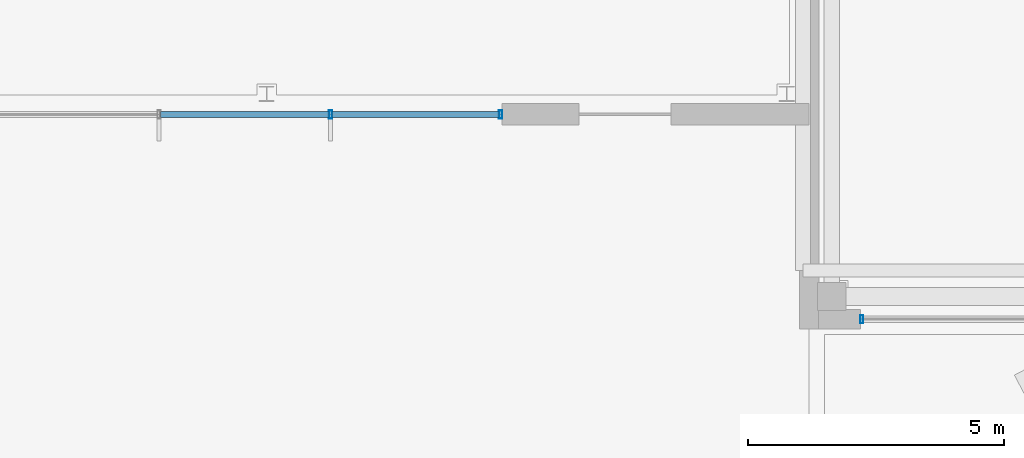
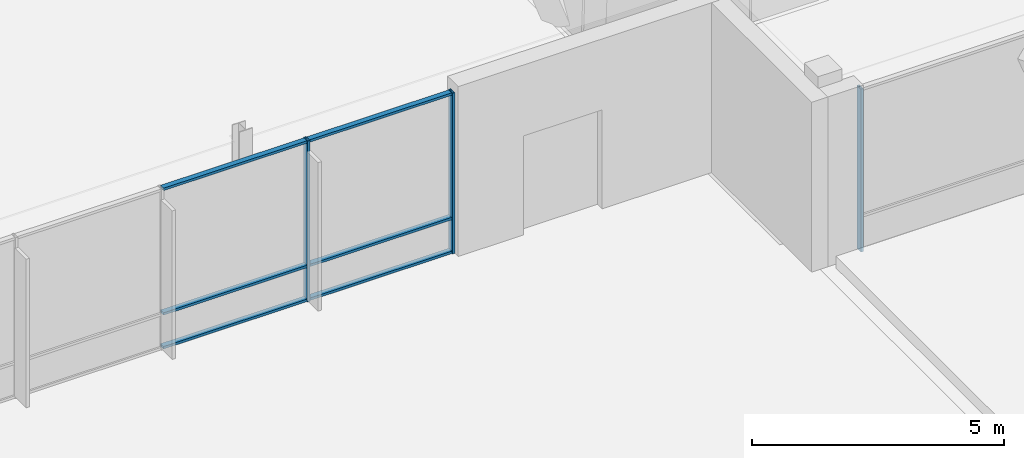
# One storey, part 128 of 233: 9 members, 2 elements without a shape of their own.
"""IFC4 building model written with IfcOpenShell, lengths in metres."""

from ifc_helpers import new_model, si_unit, direction, frame, origin, origin_2d, place, context, subcontext, project, spatial, hollow_rectangle, extrude, material, material_profile, profile_set, type_object, element, aggregate, save


model = new_model("IFC4")

# Units and contexts
model_context = context("Model", 3, precision=1e-05, world=origin(), true_north=direction((0.0, 1.0)))
body_context = subcontext(model_context, "Body", "Model", "MODEL_VIEW")
ifc_project = project(units=[si_unit("LENGTHUNIT", "METRE"), si_unit("AREAUNIT", "SQUARE_METRE"), si_unit("VOLUMEUNIT", "CUBIC_METRE"), si_unit("PLANEANGLEUNIT", "RADIAN"), si_unit("MASSUNIT", "GRAM", prefix="KILO")], contexts=[model_context])

# Site, building, storey
site_placement = place(None, origin())
site = spatial("IfcSite", under=ifc_project, at=site_placement, CompositionType="ELEMENT")
building_placement = place(site_placement, origin())
building = spatial("IfcBuilding", under=site, at=building_placement, Name="Zavelmont Quarter", CompositionType="ELEMENT")
storey_placement = place(building_placement, origin())
storey = spatial("IfcBuildingStorey", under=building, at=storey_placement, Name="L00", CompositionType="ELEMENT", Elevation=0.0)

# Curtain wall, member
ifc_material_1 = material(Name="Thermally broken aluminium and double low-E safety glazing", Category="aluminium")
curtain_wall_type_1 = type_object("IfcCurtainWallType", Name="CW-1185X395", PredefinedType="NOTDEFINED", material=ifc_material_1)
curtain_wall_1_placement = place(storey_placement, origin())
curtain_wall_1 = element("IfcCurtainWall", 1, at=curtain_wall_1_placement, inside=storey, type_object=curtain_wall_type_1, Name="L00 unitised curtain wall CW-1185X395", PredefinedType="NOTDEFINED")
ifc_material_2 = material(Name="Powder-coated aluminium EN AW-6063-T6", Category="aluminium")
ifc_material_profile_1 = material_profile(ifc_material_2, hollow_rectangle(XDim=0.06005859375, YDim=0.159912109375, WallThickness=0.00390625, at=origin_2d()), Name="CWM60X160")
ifc_profile_set_1 = profile_set([ifc_material_profile_1], Name="Powder-coated aluminium EN AW-6063-T6")
member_type_1 = type_object("IfcMemberType", Name="CWM01", PredefinedType="MULLION", material=ifc_profile_set_1)
member_1_placement = place(storey_placement, frame((113.830078125, 97.60009765625, 0.0), z_axis=(0.0, 0.0, 1.0), x_axis=(1.0, 0.0, 0.0)))
member_1 = element("IfcMember", 2, at=member_1_placement, type_object=member_type_1, Name="CW-1185X395 mullion 1", PredefinedType="MULLION", context=body_context, shape_type="SweptSolid", body=[
    extrude(hollow_rectangle(XDim=0.06005859375, YDim=0.159912109375, WallThickness=0.00390625, at=origin_2d()), origin(), (0.0, 0.0, 1.0), 3.949951171875),
])
aggregate(curtain_wall_1, [member_1])

# Curtain wall, members
curtain_wall_type_2 = type_object("IfcCurtainWallType", Name="CW-1340X390", PredefinedType="NOTDEFINED", material=ifc_material_1)
curtain_wall_2_placement = place(storey_placement, origin())
curtain_wall_2 = element("IfcCurtainWall", 3, at=curtain_wall_2_placement, inside=storey, type_object=curtain_wall_type_2, Name="L00 unitised curtain wall CW-1340X390", PredefinedType="NOTDEFINED")
member_2_placement = place(storey_placement, frame((103.449951171875, 101.60009765625, 0.0), z_axis=(0.0, 0.0, 1.0), x_axis=(1.0, 0.0, 0.0)))
member_2 = element("IfcMember", 4, at=member_2_placement, type_object=member_type_1, Name="CW-1340X390 mullion 4", PredefinedType="MULLION", context=body_context, shape_type="SweptSolid", body=[
    extrude(hollow_rectangle(XDim=0.06005859375, YDim=0.159912109375, WallThickness=0.00390625, at=origin_2d()), origin(), (0.0, 0.0, 1.0), 3.89990234375),
])
member_3_placement = place(storey_placement, frame((106.77001953125, 101.60009765625, 0.0), z_axis=(0.0, 0.0, 1.0), x_axis=(1.0, 0.0, 0.0)))
member_3 = element("IfcMember", 5, at=member_3_placement, type_object=member_type_1, Name="CW-1340X390 mullion 5", PredefinedType="MULLION", context=body_context, shape_type="SweptSolid", body=[
    extrude(hollow_rectangle(XDim=0.06005859375, YDim=0.159912109375, WallThickness=0.00390625, at=origin_2d()), origin(), (0.0, 0.0, 1.0), 3.89990234375),
])
ifc_material_profile_2 = material_profile(ifc_material_2, hollow_rectangle(XDim=0.1201171875, YDim=0.06005859375, WallThickness=0.00390625, at=origin_2d()), Name="CWT60X120")
ifc_profile_set_2 = profile_set([ifc_material_profile_2], Name="Powder-coated aluminium EN AW-6063-T6")
member_type_2 = type_object("IfcMemberType", Name="CWT01", PredefinedType="NOTDEFINED", material=ifc_profile_set_2)
member_4_placement = place(storey_placement, frame((100.1298828125, 101.60009765625, 0.030029296875), z_axis=(1.0, 0.0, 0.0), x_axis=(0.0, 1.0, 0.0)))
member_4 = element("IfcMember", 6, at=member_4_placement, type_object=member_type_2, Name="CW-1340X390 transom 3.1", ObjectType="TRANSOM", PredefinedType="USERDEFINED", context=body_context, shape_type="SweptSolid", body=[
    extrude(hollow_rectangle(XDim=0.1201171875, YDim=0.06005859375, WallThickness=0.00390625, at=origin_2d()), origin(), (0.0, 0.0, 1.0), 3.2900390625),
])
member_5_placement = place(storey_placement, frame((100.1298828125, 101.60009765625, 0.85009765625), z_axis=(1.0, 0.0, 0.0), x_axis=(0.0, 1.0, 0.0)))
member_5 = element("IfcMember", 7, at=member_5_placement, type_object=member_type_2, Name="CW-1340X390 transom 3.2", ObjectType="TRANSOM", PredefinedType="USERDEFINED", context=body_context, shape_type="SweptSolid", body=[
    extrude(hollow_rectangle(XDim=0.1201171875, YDim=0.06005859375, WallThickness=0.00390625, at=origin_2d()), origin(), (0.0, 0.0, 1.0), 3.2900390625),
])
member_6_placement = place(storey_placement, frame((100.1298828125, 101.60009765625, 3.8701171875), z_axis=(1.0, 0.0, 0.0), x_axis=(0.0, 1.0, 0.0)))
member_6 = element("IfcMember", 8, at=member_6_placement, type_object=member_type_2, Name="CW-1340X390 transom 3.3", ObjectType="TRANSOM", PredefinedType="USERDEFINED", context=body_context, shape_type="SweptSolid", body=[
    extrude(hollow_rectangle(XDim=0.1201171875, YDim=0.06005859375, WallThickness=0.00390625, at=origin_2d()), origin(), (0.0, 0.0, 1.0), 3.2900390625),
])
member_7_placement = place(storey_placement, frame((103.47998046875, 101.60009765625, 0.030029296875), z_axis=(1.0, 0.0, 0.0), x_axis=(0.0, 1.0, 0.0)))
member_7 = element("IfcMember", 9, at=member_7_placement, type_object=member_type_2, Name="CW-1340X390 transom 4.1", ObjectType="TRANSOM", PredefinedType="USERDEFINED", context=body_context, shape_type="SweptSolid", body=[
    extrude(hollow_rectangle(XDim=0.1201171875, YDim=0.06005859375, WallThickness=0.00390625, at=origin_2d()), origin(), (0.0, 0.0, 1.0), 3.260009765625),
])
member_8_placement = place(storey_placement, frame((103.47998046875, 101.60009765625, 0.85009765625), z_axis=(1.0, 0.0, 0.0), x_axis=(0.0, 1.0, 0.0)))
member_8 = element("IfcMember", 10, at=member_8_placement, type_object=member_type_2, Name="CW-1340X390 transom 4.2", ObjectType="TRANSOM", PredefinedType="USERDEFINED", context=body_context, shape_type="SweptSolid", body=[
    extrude(hollow_rectangle(XDim=0.1201171875, YDim=0.06005859375, WallThickness=0.00390625, at=origin_2d()), origin(), (0.0, 0.0, 1.0), 3.260009765625),
])
member_9_placement = place(storey_placement, frame((103.47998046875, 101.60009765625, 3.8701171875), z_axis=(1.0, 0.0, 0.0), x_axis=(0.0, 1.0, 0.0)))
member_9 = element("IfcMember", 11, at=member_9_placement, type_object=member_type_2, Name="CW-1340X390 transom 4.3", ObjectType="TRANSOM", PredefinedType="USERDEFINED", context=body_context, shape_type="SweptSolid", body=[
    extrude(hollow_rectangle(XDim=0.1201171875, YDim=0.06005859375, WallThickness=0.00390625, at=origin_2d()), origin(), (0.0, 0.0, 1.0), 3.260009765625),
])
aggregate(curtain_wall_2, [member_2, member_3, member_4, member_5, member_6, member_7, member_8, member_9])

save(model, "model.ifc")
